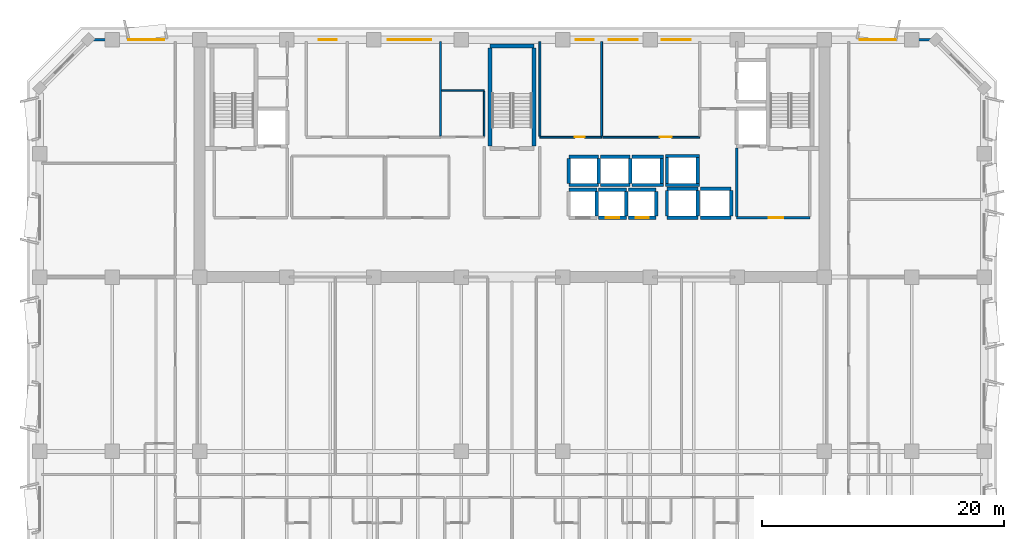
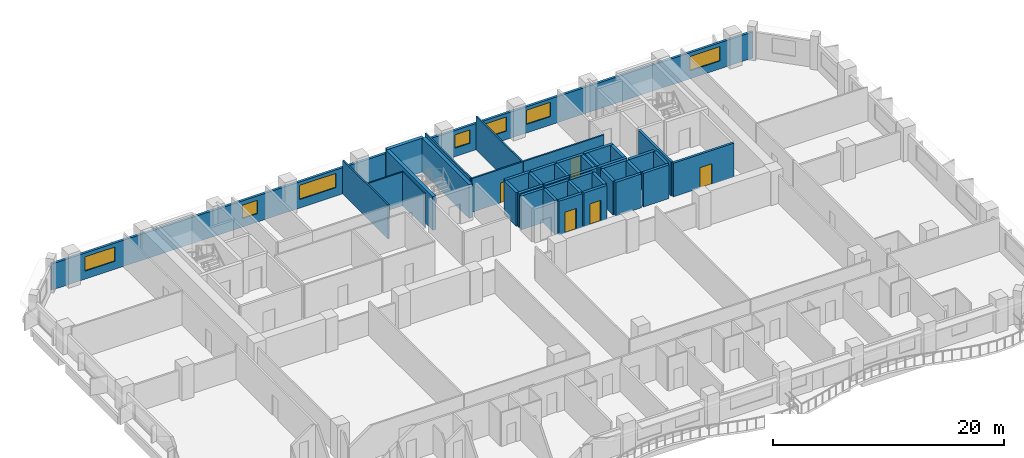
# One storey, part 8 of 15: 42 walls, 7 windows, 5 doors, 12 openings.
"""IFC4 building model written with IfcOpenShell, lengths in metres."""

from ifc_helpers import new_model, si_unit, direction, frame, frame_2d, origin, place, context, subcontext, project, spatial, rectangle, extrude, material, layer, layer_set, type_object, element, fill, save


model = new_model("IFC4")

# Units and contexts
model_context = context("Model", 3, precision=1e-05, world=origin(), true_north=direction((0.0, 1.0)))
body_context = subcontext(model_context, "Body", "Model", "MODEL_VIEW")
ifc_project = project(units=[si_unit("LENGTHUNIT", "METRE"), si_unit("AREAUNIT", "SQUARE_METRE"), si_unit("VOLUMEUNIT", "CUBIC_METRE"), si_unit("PLANEANGLEUNIT", "RADIAN"), si_unit("MASSUNIT", "GRAM", prefix="KILO")], contexts=[model_context])

# Site, building, storey
site_placement = place(None, origin())
site = spatial("IfcSite", under=ifc_project, at=site_placement, CompositionType="ELEMENT")
building_placement = place(site_placement, origin())
building = spatial("IfcBuilding", under=site, at=building_placement, Name="Kaelvorn Grand Hotel", CompositionType="ELEMENT")
storey_placement = place(building_placement, frame((0.0, 0.0, 139.14990234375)))
storey = spatial("IfcBuildingStorey", under=building, at=storey_placement, Name="L33", CompositionType="ELEMENT", Elevation=139.14990234375)

# Wall, openings, windows
ifc_material_1 = material(Name="Concrete C40/50", Category="concrete")
ifc_layer_1 = layer(ifc_material_1, 0.239990234375)
ifc_layer_set_1 = layer_set([ifc_layer_1], Name="Concrete C40/50")
wall_type_1 = type_object("IfcWallType", Name="WL-EXT-240-C40", PredefinedType="SOLIDWALL", material=ifc_layer_set_1)
wall_1_placement = place(storey_placement, frame((77.0, 49.0, 0.0), z_axis=(0.0, 0.0, 1.0), x_axis=(-1.0, 0.0, 0.0)))
wall_1 = element("IfcWall", 1, at=wall_1_placement, inside=storey, type_object=wall_type_1, Name="L33 Exterior Architectural Concrete Wall 05", PredefinedType="SOLIDWALL", context=body_context, shape_type="SweptSolid", body=[
    extrude(rectangle(XDim=70.0, YDim=0.239990234375, at=frame_2d((35.0, 0.0))), origin(), (0.0, 0.0, 1.0), 2.760009765625),
])
opening_1_placement = place(wall_1_placement, frame((63.699951171875, 0.0, 0.85009765625)))
opening_1 = element("IfcOpeningElement", 2, at=opening_1_placement, cuts=wall_1, Name="Opening W5", PredefinedType="OPENING", context=body_context, shape_type="SweptSolid", body=[
    extrude(rectangle(XDim=3.0, YDim=1.5, at=frame_2d((1.5, 0.75))), frame((0.0, 0.1298828125, 0.0), z_axis=(0.0, -1.0, 0.0), x_axis=(1.0, 0.0, 0.0)), (0.0, 0.0, 1.0), 0.260009765625),
])
opening_2_placement = place(wall_1_placement, frame((3.300048828125, 0.0, 0.85009765625)))
opening_2 = element("IfcOpeningElement", 3, at=opening_2_placement, cuts=wall_1, Name="Opening W5", PredefinedType="OPENING", context=body_context, shape_type="SweptSolid", body=[
    extrude(rectangle(XDim=3.0, YDim=1.5, at=frame_2d((1.5, 0.75))), frame((0.0, 0.1298828125, 0.0), z_axis=(0.0, -1.0, 0.0), x_axis=(1.0, 0.0, 0.0)), (0.0, 0.0, 1.0), 0.260009765625),
])
opening_3_placement = place(wall_1_placement, frame((49.465087890625, 0.0, 0.89990234375)))
opening_3 = element("IfcOpeningElement", 4, at=opening_3_placement, cuts=wall_1, Name="Opening W10", PredefinedType="OPENING", context=body_context, shape_type="SweptSolid", body=[
    extrude(rectangle(XDim=1.5, YDim=1.39990234375, at=frame_2d((0.75, 0.699951171875))), frame((0.0, 0.1298828125, 0.0), z_axis=(0.0, -1.0, 0.0), x_axis=(1.0, 0.0, 0.0)), (0.0, 0.0, 1.0), 0.260009765625),
])
opening_4_placement = place(wall_1_placement, frame((41.64990234375, 0.0, 0.89990234375)))
opening_4 = element("IfcOpeningElement", 5, at=opening_4_placement, cuts=wall_1, Name="Opening W3", PredefinedType="OPENING", context=body_context, shape_type="SweptSolid", body=[
    extrude(rectangle(XDim=3.60009765625, YDim=1.5, at=frame_2d((1.800048828125, 0.75))), frame((0.0, 0.1298828125, 0.0), z_axis=(0.0, -1.0, 0.0), x_axis=(1.0, 0.0, 0.0)), (0.0, 0.0, 1.0), 0.260009765625),
])
opening_5_placement = place(wall_1_placement, frame((28.25, 0.0, 0.89990234375)))
opening_5 = element("IfcOpeningElement", 6, at=opening_5_placement, cuts=wall_1, Name="Opening W10", PredefinedType="OPENING", context=body_context, shape_type="SweptSolid", body=[
    extrude(rectangle(XDim=1.5, YDim=1.39990234375, at=frame_2d((0.75, 0.699951171875))), frame((0.0, 0.1298828125, 0.0), z_axis=(0.0, -1.0, 0.0), x_axis=(1.0, 0.0, 0.0)), (0.0, 0.0, 1.0), 0.260009765625),
])
opening_6_placement = place(wall_1_placement, frame((24.60009765625, 0.0, 0.89990234375)))
opening_6 = element("IfcOpeningElement", 7, at=opening_6_placement, cuts=wall_1, Name="Opening W6", PredefinedType="OPENING", context=body_context, shape_type="SweptSolid", body=[
    extrude(rectangle(XDim=2.39990234375, YDim=1.5, at=frame_2d((1.199951171875, 0.75))), frame((0.0, 0.1298828125, 0.0), z_axis=(0.0, -1.0, 0.0), x_axis=(1.0, 0.0, 0.0)), (0.0, 0.0, 1.0), 0.260009765625),
])
opening_7_placement = place(wall_1_placement, frame((20.235107421875, 0.0, 0.89990234375)))
opening_7 = element("IfcOpeningElement", 8, at=opening_7_placement, cuts=wall_1, Name="Opening W6", PredefinedType="OPENING", context=body_context, shape_type="SweptSolid", body=[
    extrude(rectangle(XDim=2.39990234375, YDim=1.5, at=frame_2d((1.199951171875, 0.75))), frame((0.0, 0.1298828125, 0.0), z_axis=(0.0, -1.0, 0.0), x_axis=(1.0, 0.0, 0.0)), (0.0, 0.0, 1.0), 0.260009765625),
])
ifc_material_2 = material(Name="Laminated Low-E Glass", Category="glass")
window_type_1 = type_object("IfcWindowType", Name="WIN-COR-1500x1400", PartitioningType="SINGLE_PANEL", PredefinedType="WINDOW", material=ifc_material_2)
window_1_placement = place(opening_3_placement, origin())
window_1 = element("IfcWindow", 9, at=window_1_placement, inside=storey, type_object=window_type_1, Name="L33 North Core Clerestory Ribbon Window NC03", OverallHeight=1.39990234375, OverallWidth=1.5, PartitioningType="SINGLE_PANEL", PredefinedType="WINDOW", context=body_context, shape_type="SweptSolid", body=[
    extrude(rectangle(XDim=1.5, YDim=1.39990234375, at=frame_2d((0.75, 0.699951171875))), frame((0.0, 0.030029296875, 0.0), z_axis=(0.0, -1.0, 0.0), x_axis=(1.0, 0.0, 0.0)), (0.0, 0.0, 1.0), 0.06005859375),
])
fill(opening_3, window_1)
window_2_placement = place(opening_5_placement, origin())
window_2 = element("IfcWindow", 10, at=window_2_placement, inside=storey, type_object=window_type_1, Name="L33 North Core Clerestory Ribbon Window NC05", OverallHeight=1.39990234375, OverallWidth=1.5, PartitioningType="SINGLE_PANEL", PredefinedType="WINDOW", context=body_context, shape_type="SweptSolid", body=[
    extrude(rectangle(XDim=1.5, YDim=1.39990234375, at=frame_2d((0.75, 0.699951171875))), frame((0.0, 0.030029296875, 0.0), z_axis=(0.0, -1.0, 0.0), x_axis=(1.0, 0.0, 0.0)), (0.0, 0.0, 1.0), 0.06005859375),
])
fill(opening_5, window_2)
window_type_2 = type_object("IfcWindowType", Name="WIN-NTH-2400x1500", PartitioningType="SINGLE_PANEL", PredefinedType="WINDOW", material=ifc_material_2)
window_3_placement = place(opening_6_placement, origin())
window_3 = element("IfcWindow", 11, at=window_3_placement, inside=storey, type_object=window_type_2, Name="L33 North Core Clerestory Ribbon Window NC06", OverallHeight=1.5, OverallWidth=2.39990234375, PartitioningType="SINGLE_PANEL", PredefinedType="WINDOW", context=body_context, shape_type="SweptSolid", body=[
    extrude(rectangle(XDim=2.39990234375, YDim=1.5, at=frame_2d((1.199951171875, 0.75))), frame((0.0, 0.030029296875, 0.0), z_axis=(0.0, -1.0, 0.0), x_axis=(1.0, 0.0, 0.0)), (0.0, 0.0, 1.0), 0.06005859375),
])
fill(opening_6, window_3)
window_4_placement = place(opening_7_placement, origin())
window_4 = element("IfcWindow", 12, at=window_4_placement, inside=storey, type_object=window_type_2, Name="L33 North Core Clerestory Ribbon Window NC07", OverallHeight=1.5, OverallWidth=2.39990234375, PartitioningType="SINGLE_PANEL", PredefinedType="WINDOW", context=body_context, shape_type="SweptSolid", body=[
    extrude(rectangle(XDim=2.39990234375, YDim=1.5, at=frame_2d((1.199951171875, 0.75))), frame((0.0, 0.030029296875, 0.0), z_axis=(0.0, -1.0, 0.0), x_axis=(1.0, 0.0, 0.0)), (0.0, 0.0, 1.0), 0.06005859375),
])
fill(opening_7, window_4)
window_type_3 = type_object("IfcWindowType", Name="WIN-NTH-3000x1500", PartitioningType="SINGLE_PANEL", PredefinedType="WINDOW", material=ifc_material_2)
window_5_placement = place(opening_1_placement, origin())
window_5 = element("IfcWindow", 13, at=window_5_placement, inside=storey, type_object=window_type_3, Name="L33 North Wing Ribbon Window NW01", OverallHeight=1.5, OverallWidth=3.0, PartitioningType="SINGLE_PANEL", PredefinedType="WINDOW", context=body_context, shape_type="SweptSolid", body=[
    extrude(rectangle(XDim=3.0, YDim=1.5, at=frame_2d((1.5, 0.75))), frame((0.0, 0.030029296875, 0.0), z_axis=(0.0, -1.0, 0.0), x_axis=(1.0, 0.0, 0.0)), (0.0, 0.0, 1.0), 0.06005859375),
])
fill(opening_1, window_5)
window_6_placement = place(opening_2_placement, origin())
window_6 = element("IfcWindow", 14, at=window_6_placement, inside=storey, type_object=window_type_3, Name="L33 North Wing Ribbon Window NW02", OverallHeight=1.5, OverallWidth=3.0, PartitioningType="SINGLE_PANEL", PredefinedType="WINDOW", context=body_context, shape_type="SweptSolid", body=[
    extrude(rectangle(XDim=3.0, YDim=1.5, at=frame_2d((1.5, 0.75))), frame((0.0, 0.030029296875, 0.0), z_axis=(0.0, -1.0, 0.0), x_axis=(1.0, 0.0, 0.0)), (0.0, 0.0, 1.0), 0.06005859375),
])
fill(opening_2, window_6)
window_type_4 = type_object("IfcWindowType", Name="WIN-RIB-3600x1750", PartitioningType="SINGLE_PANEL", PredefinedType="WINDOW", material=ifc_material_2)
window_7_placement = place(opening_4_placement, origin())
window_7 = element("IfcWindow", 15, at=window_7_placement, inside=storey, type_object=window_type_4, Name="L33 North Core Clerestory Ribbon Window NC04", OverallHeight=1.5, OverallWidth=3.60009765625, PartitioningType="SINGLE_PANEL", PredefinedType="WINDOW", context=body_context, shape_type="SweptSolid", body=[
    extrude(rectangle(XDim=3.60009765625, YDim=1.5, at=frame_2d((1.800048828125, 0.75))), frame((0.0, 0.030029296875, 0.0), z_axis=(0.0, -1.0, 0.0), x_axis=(1.0, 0.0, 0.0)), (0.0, 0.0, 1.0), 0.06005859375),
])
fill(opening_4, window_7)

# Walls
ifc_material_3 = material(Name="Moisture-Resistant Tile & Stud Board")
ifc_layer_2 = layer(ifc_material_3, 0.125)
ifc_layer_set_2 = layer_set([ifc_layer_2], Name="Moisture-Resistant Tile & Stud Board")
wall_type_2 = type_object("IfcWallType", Name="WL-PART-125-WET", PredefinedType="PARTITIONING", material=ifc_layer_set_2)
wall_2_placement = place(storey_placement, frame((36.179931640625, 44.800048828125, 0.0), z_axis=(0.0, 0.0, 1.0), x_axis=(1.0, 0.0, 0.0)))
element("IfcWall", 16, at=wall_2_placement, inside=storey, type_object=wall_type_2, Name="L33 Accessible WC N Partition", PredefinedType="PARTITIONING", context=body_context, shape_type="SweptSolid", body=[
    extrude(rectangle(XDim=3.52001953125, YDim=0.125, at=frame_2d((1.760009765625, 0.0))), origin(), (0.0, 0.0, 1.0), 3.56005859375),
])
wall_3_placement = place(storey_placement, frame((39.699951171875, 41.017578125, 0.0), z_axis=(0.0, 0.0, 1.0), x_axis=(0.0, 1.0, 0.0)))
element("IfcWall", 17, at=wall_3_placement, inside=storey, type_object=wall_type_2, Name="L33 Accessible WC E Partition", PredefinedType="PARTITIONING", context=body_context, shape_type="SweptSolid", body=[
    extrude(rectangle(XDim=3.71484375, YDim=0.125, at=frame_2d((1.857421875, 0.0))), origin(), (0.0, 0.0, 1.0), 3.56005859375),
])
ifc_material_4 = material(Name="Acoustic Gypsum & Stud Partition")
ifc_layer_3 = layer(ifc_material_4, 0.14990234375)
ifc_layer_set_3 = layer_set([ifc_layer_3], Name="Acoustic Gypsum & Stud Partition")
wall_type_3 = type_object("IfcWallType", Name="WL-PART-150-EI60", PredefinedType="PARTITIONING", material=ifc_layer_set_3)
wall_4_placement = place(storey_placement, frame((36.10009765625, 41.030029296875, 0.0), z_axis=(0.0, 0.0, 1.0), x_axis=(0.0, 1.0, 0.0)))
element("IfcWall", 18, at=wall_4_placement, inside=storey, type_object=wall_type_3, Name="L33 Housekeeping & Linen Room E Partition", PredefinedType="PARTITIONING", context=body_context, shape_type="SweptSolid", body=[
    extrude(rectangle(XDim=7.820068359375, YDim=0.14990234375, at=frame_2d((3.91015625, 0.0))), origin(), (0.0, 0.0, 1.0), 3.56005859375),
])

# Wall, opening, door
wall_5_placement = place(storey_placement, frame((44.300048828125, 40.949951171875, 0.0), z_axis=(0.0, 0.0, 1.0), x_axis=(1.0, 0.0, 0.0)))
wall_5 = element("IfcWall", 19, at=wall_5_placement, inside=storey, type_object=wall_type_3, Name="L33 Laundry Chute Vestibule S Partition", PredefinedType="PARTITIONING", context=body_context, shape_type="SweptSolid", body=[
    extrude(rectangle(XDim=5.099853515625, YDim=0.14990234375, at=frame_2d((2.5498046875, 0.0))), origin(), (0.0, 0.0, 1.0), 3.56005859375),
])
opening_8_placement = place(wall_5_placement, frame((2.875, 0.0, 0.0)))
opening_8 = element("IfcOpeningElement", 20, at=opening_8_placement, cuts=wall_5, Name="Opening DI7", PredefinedType="OPENING", context=body_context, shape_type="SweptSolid", body=[
    extrude(rectangle(XDim=0.85009765625, YDim=2.10009765625, at=frame_2d((0.425048828125, 1.050048828125))), frame((0.0, 0.0849609375, 0.0), z_axis=(0.0, -1.0, 0.0), x_axis=(1.0, 0.0, 0.0)), (0.0, 0.0, 1.0), 0.169921875),
])
ifc_material_5 = material(Name="Powder-Coated Steel Leaf", Category="steel")
door_type_1 = type_object("IfcDoorType", Name="DR-INT-RISER-850x2100", OperationType="NOTDEFINED", PredefinedType="DOOR", material=ifc_material_5)
door_1_placement = place(opening_8_placement, origin())
door_1 = element("IfcDoor", 21, at=door_1_placement, inside=storey, type_object=door_type_1, Name="L33 Laundry Chute Vestibule Door", OperationType="SINGLE_SWING_LEFT", OverallHeight=2.10009765625, OverallWidth=0.85009765625, PredefinedType="DOOR", context=body_context, shape_type="SweptSolid", body=[
    extrude(rectangle(XDim=0.85009765625, YDim=2.10009765625, at=frame_2d((0.425048828125, 1.050048828125))), frame((0.0, 0.02490234375, 0.0), z_axis=(0.0, -1.0, 0.0), x_axis=(1.0, 0.0, 0.0)), (0.0, 0.0, 1.0), 0.050048828125),
])
fill(opening_8, door_1)

# Walls
for number, where, z_axis, x_axis, name in (
    (22, (44.300048828125, 41.030029296875, 0.0), (0.0, 0.0, 1.0), (0.0, 1.0, 0.0), "L33 Laundry Chute Vestibule W Partition"),
    (23, (49.39990234375, 41.030029296875, 0.0), (0.0, 0.0, 1.0), (0.0, 1.0, 0.0), "L33 Laundry Chute Vestibule E Partition"),
):
    element("IfcWall", number, at=place(storey_placement, frame(where, z_axis=z_axis, x_axis=x_axis)), inside=storey, type_object=wall_type_3, Name=name, PredefinedType="PARTITIONING", context=body_context, shape_type="SweptSolid", body=[
        extrude(rectangle(XDim=7.820068359375, YDim=0.14990234375, at=frame_2d((3.91015625, 0.0))), origin(), (0.0, 0.0, 1.0), 3.56005859375),
    ])

# Wall, opening, door
wall_6_placement = place(storey_placement, frame((49.47998046875, 40.949951171875, 0.0), z_axis=(0.0, 0.0, 1.0), x_axis=(1.0, 0.0, 0.0)))
wall_6 = element("IfcWall", 24, at=wall_6_placement, inside=storey, type_object=wall_type_3, Name="L33 Butler Servery Pantry S Partition", PredefinedType="PARTITIONING", context=body_context, shape_type="SweptSolid", body=[
    extrude(rectangle(XDim=8.02001953125, YDim=0.14990234375, at=frame_2d((4.010009765625, 0.0))), origin(), (0.0, 0.0, 1.0), 3.56005859375),
])
opening_9_placement = place(wall_6_placement, frame((4.719970703125, 0.0, 0.0)))
opening_9 = element("IfcOpeningElement", 25, at=opening_9_placement, cuts=wall_6, Name="Opening DI3", PredefinedType="OPENING", context=body_context, shape_type="SweptSolid", body=[
    extrude(rectangle(XDim=1.0, YDim=2.14990234375, at=frame_2d((0.5, 1.074951171875))), frame((0.0, 0.0849609375, 0.0), z_axis=(0.0, -1.0, 0.0), x_axis=(1.0, 0.0, 0.0)), (0.0, 0.0, 1.0), 0.169921875),
])
ifc_material_6 = material(Name="Timber Veneer Fire Leaf", Category="wood")
door_type_2 = type_object("IfcDoorType", Name="DR-INT-GUEST-1000x2150", OperationType="NOTDEFINED", PredefinedType="DOOR", material=ifc_material_6)
door_2_placement = place(opening_9_placement, origin())
door_2 = element("IfcDoor", 26, at=door_2_placement, inside=storey, type_object=door_type_2, Name="L33 Butler Servery Pantry Door", OperationType="SINGLE_SWING_RIGHT", OverallHeight=2.14990234375, OverallWidth=1.0, PredefinedType="DOOR", context=body_context, shape_type="SweptSolid", body=[
    extrude(rectangle(XDim=1.0, YDim=2.14990234375, at=frame_2d((0.5, 1.074951171875))), frame((0.0, 0.02490234375, 0.0), z_axis=(0.0, -1.0, 0.0), x_axis=(1.0, 0.0, 0.0)), (0.0, 0.0, 1.0), 0.050048828125),
])
fill(opening_9, door_2)

ifc_layer_4 = layer(ifc_material_1, 0.219970703125)
ifc_layer_set_4 = layer_set([ifc_layer_4], Name="Concrete C40/50")
wall_type_4 = type_object("IfcWallType", Name="WL-PART-220-EI120", PredefinedType="PARTITIONING", material=ifc_layer_set_4)
wall_7_placement = place(storey_placement, frame((60.550048828125, 34.300048828125, 0.0), z_axis=(0.0, 0.0, 1.0), x_axis=(1.0, 0.0, 0.0)))
wall_7 = element("IfcWall", 27, at=wall_7_placement, inside=storey, type_object=wall_type_4, Name="L33 Firefighting Lift Lobby 2 S Partition", PredefinedType="PARTITIONING", context=body_context, shape_type="SweptSolid", body=[
    extrude(rectangle(XDim=6.050048828125, YDim=0.219970703125, at=frame_2d((3.02490234375, 0.0))), origin(), (0.0, 0.0, 1.0), 3.56005859375),
])
opening_10_placement = place(wall_7_placement, frame((2.64990234375, 0.0, 0.0)))
opening_10 = element("IfcOpeningElement", 28, at=opening_10_placement, cuts=wall_7, Name="Opening DI2", PredefinedType="OPENING", context=body_context, shape_type="SweptSolid", body=[
    extrude(rectangle(XDim=1.199951171875, YDim=2.14990234375, at=frame_2d((0.60009765625, 1.074951171875))), frame((0.0, 0.1201171875, 0.0), z_axis=(0.0, -1.0, 0.0), x_axis=(1.0, 0.0, 0.0)), (0.0, 0.0, 1.0), 0.239990234375),
])
door_type_3 = type_object("IfcDoorType", Name="DR-INT-FFLOB-1200x2150", OperationType="NOTDEFINED", PredefinedType="DOOR", material=ifc_material_6)
door_3_placement = place(opening_10_placement, origin())
door_3 = element("IfcDoor", 29, at=door_3_placement, inside=storey, type_object=door_type_3, Name="L33 Firefighting Lift Lobby 2 Door", OperationType="SINGLE_SWING_LEFT", OverallHeight=2.14990234375, OverallWidth=1.199951171875, PredefinedType="DOOR", context=body_context, shape_type="SweptSolid", body=[
    extrude(rectangle(XDim=1.199951171875, YDim=2.14990234375, at=frame_2d((0.60009765625, 1.074951171875))), frame((0.0, 0.02490234375, 0.0), z_axis=(0.0, -1.0, 0.0), x_axis=(1.0, 0.0, 0.0)), (0.0, 0.0, 1.0), 0.050048828125),
])
fill(opening_10, door_3)

# Walls
wall_8_placement = place(storey_placement, frame((60.550048828125, 34.4150390625, 0.0), z_axis=(0.0, 0.0, 1.0), x_axis=(0.0, 1.0, 0.0)))
element("IfcWall", 30, at=wall_8_placement, inside=storey, type_object=wall_type_4, Name="L33 Firefighting Lift Lobby 2 W Partition", PredefinedType="PARTITIONING", context=body_context, shape_type="SweptSolid", body=[
    extrude(rectangle(XDim=5.639892578125, YDim=0.219970703125, at=frame_2d((2.81982421875, 0.0))), origin(), (0.0, 0.0, 1.0), 3.56005859375),
])
ifc_material_7 = material(Name="Concrete C50/60", Category="concrete")
ifc_layer_5 = layer(ifc_material_7, 0.280029296875)
ifc_layer_set_5 = layer_set([ifc_layer_5], Name="Concrete C50/60")
wall_type_5 = type_object("IfcWallType", Name="WL-SHAFT-280-C50", PredefinedType="SHEAR", material=ifc_layer_set_5)
wall_9_placement = place(storey_placement, frame((46.699951171875, 36.60009765625, 0.0), z_axis=(0.0, 0.0, 1.0), x_axis=(1.0, 0.0, 0.0)))
element("IfcWall", 31, at=wall_9_placement, inside=storey, type_object=wall_type_5, Name="L33 Lift PL-M1 Shaft North Wall", PredefinedType="SHEAR", context=body_context, shape_type="SweptSolid", body=[
    extrude(rectangle(XDim=2.300048828125, YDim=0.280029296875, at=frame_2d((1.14990234375, 0.0))), origin(), (0.0, 0.0, 1.0), 3.56005859375),
])
wall_10_placement = place(storey_placement, frame((49.0, 34.445068359375, 0.0), z_axis=(0.0, 0.0, 1.0), x_axis=(0.0, 1.0, 0.0)))
element("IfcWall", 32, at=wall_10_placement, inside=storey, type_object=wall_type_5, Name="L33 Lift PL-M1 Shaft East Wall", PredefinedType="SHEAR", context=body_context, shape_type="SweptSolid", body=[
    extrude(rectangle(XDim=2.010009765625, YDim=0.280029296875, at=frame_2d((1.0048828125, 0.0))), origin(), (0.0, 0.0, 1.0), 3.56005859375),
])

# Wall, opening, door
wall_11_placement = place(storey_placement, frame((49.14990234375, 34.300048828125, 0.0), z_axis=(0.0, 0.0, 1.0), x_axis=(1.0, 0.0, 0.0)))
wall_11 = element("IfcWall", 33, at=wall_11_placement, inside=storey, type_object=wall_type_5, Name="L33 Lift PL-M2 Shaft South Wall", PredefinedType="SHEAR", context=body_context, shape_type="SweptSolid", body=[
    extrude(rectangle(XDim=2.300048828125, YDim=0.280029296875, at=frame_2d((1.14990234375, 0.0))), origin(), (0.0, 0.0, 1.0), 3.56005859375),
])
opening_11_placement = place(wall_11_placement, frame((0.60009765625, 0.0, 0.0)))
opening_11 = element("IfcOpeningElement", 34, at=opening_11_placement, cuts=wall_11, Name="Opening LD-PL-M2", PredefinedType="OPENING", context=body_context, shape_type="SweptSolid", body=[
    extrude(rectangle(XDim=1.10009765625, YDim=2.199951171875, at=frame_2d((0.550048828125, 1.10009765625))), frame((0.0, 0.14990234375, 0.0), z_axis=(0.0, -1.0, 0.0), x_axis=(1.0, 0.0, 0.0)), (0.0, 0.0, 1.0), 0.300048828125),
])
ifc_material_8 = material(Name="Stainless Steel", Category="steel")
door_type_4 = type_object("IfcDoorType", Name="DR-LIFT-PASS-1100x2200", OperationType="DOUBLE_DOOR_SLIDING", PredefinedType="DOOR", material=ifc_material_8)
door_4_placement = place(opening_11_placement, origin())
door_4 = element("IfcDoor", 35, at=door_4_placement, inside=storey, type_object=door_type_4, Name="L33 Lift PL-M2 Sliding Landing Door LD-PL-M2", OperationType="DOUBLE_DOOR_SLIDING", OverallHeight=2.199951171875, OverallWidth=1.10009765625, PredefinedType="DOOR", context=body_context, shape_type="SweptSolid", body=[
    extrude(rectangle(XDim=1.10009765625, YDim=2.199951171875, at=frame_2d((0.550048828125, 1.10009765625))), frame((0.0, 0.02490234375, 0.0), z_axis=(0.0, -1.0, 0.0), x_axis=(1.0, 0.0, 0.0)), (0.0, 0.0, 1.0), 0.050048828125),
])
fill(opening_11, door_4)

# Walls
wall_12_placement = place(storey_placement, frame((49.14990234375, 36.60009765625, 0.0), z_axis=(0.0, 0.0, 1.0), x_axis=(1.0, 0.0, 0.0)))
element("IfcWall", 36, at=wall_12_placement, inside=storey, type_object=wall_type_5, Name="L33 Lift PL-M2 Shaft North Wall", PredefinedType="SHEAR", context=body_context, shape_type="SweptSolid", body=[
    extrude(rectangle(XDim=2.300048828125, YDim=0.280029296875, at=frame_2d((1.14990234375, 0.0))), origin(), (0.0, 0.0, 1.0), 3.56005859375),
])
wall_13_placement = place(storey_placement, frame((51.449951171875, 34.445068359375, 0.0), z_axis=(0.0, 0.0, 1.0), x_axis=(0.0, 1.0, 0.0)))
element("IfcWall", 37, at=wall_13_placement, inside=storey, type_object=wall_type_5, Name="L33 Lift PL-M2 Shaft East Wall", PredefinedType="SHEAR", context=body_context, shape_type="SweptSolid", body=[
    extrude(rectangle(XDim=2.010009765625, YDim=0.280029296875, at=frame_2d((1.0048828125, 0.0))), origin(), (0.0, 0.0, 1.0), 3.56005859375),
])

# Wall, opening, door
wall_14_placement = place(storey_placement, frame((51.60009765625, 34.300048828125, 0.0), z_axis=(0.0, 0.0, 1.0), x_axis=(1.0, 0.0, 0.0)))
wall_14 = element("IfcWall", 38, at=wall_14_placement, inside=storey, type_object=wall_type_5, Name="L33 Lift PL-M3 Shaft South Wall", PredefinedType="SHEAR", context=body_context, shape_type="SweptSolid", body=[
    extrude(rectangle(XDim=2.2998046875, YDim=0.280029296875, at=frame_2d((1.14990234375, 0.0))), origin(), (0.0, 0.0, 1.0), 3.56005859375),
])
opening_12_placement = place(wall_14_placement, frame((0.60009765625, 0.0, 0.0)))
opening_12 = element("IfcOpeningElement", 39, at=opening_12_placement, cuts=wall_14, Name="Opening LD-PL-M3", PredefinedType="OPENING", context=body_context, shape_type="SweptSolid", body=[
    extrude(rectangle(XDim=1.10009765625, YDim=2.199951171875, at=frame_2d((0.550048828125, 1.10009765625))), frame((0.0, 0.14990234375, 0.0), z_axis=(0.0, -1.0, 0.0), x_axis=(1.0, 0.0, 0.0)), (0.0, 0.0, 1.0), 0.300048828125),
])
door_5_placement = place(opening_12_placement, origin())
door_5 = element("IfcDoor", 40, at=door_5_placement, inside=storey, type_object=door_type_4, Name="L33 Lift PL-M3 Sliding Landing Door LD-PL-M3", OperationType="DOUBLE_DOOR_SLIDING", OverallHeight=2.199951171875, OverallWidth=1.10009765625, PredefinedType="DOOR", context=body_context, shape_type="SweptSolid", body=[
    extrude(rectangle(XDim=1.10009765625, YDim=2.199951171875, at=frame_2d((0.550048828125, 1.10009765625))), frame((0.0, 0.02490234375, 0.0), z_axis=(0.0, -1.0, 0.0), x_axis=(1.0, 0.0, 0.0)), (0.0, 0.0, 1.0), 0.050048828125),
])
fill(opening_12, door_5)

# Walls
wall_15_placement = place(storey_placement, frame((51.60009765625, 36.60009765625, 0.0), z_axis=(0.0, 0.0, 1.0), x_axis=(1.0, 0.0, 0.0)))
element("IfcWall", 41, at=wall_15_placement, inside=storey, type_object=wall_type_5, Name="L33 Lift PL-M3 Shaft North Wall", PredefinedType="SHEAR", context=body_context, shape_type="SweptSolid", body=[
    extrude(rectangle(XDim=2.2998046875, YDim=0.280029296875, at=frame_2d((1.14990234375, 0.0))), origin(), (0.0, 0.0, 1.0), 3.56005859375),
])
wall_16_placement = place(storey_placement, frame((53.89990234375, 34.445068359375, 0.0), z_axis=(0.0, 0.0, 1.0), x_axis=(0.0, 1.0, 0.0)))
element("IfcWall", 42, at=wall_16_placement, inside=storey, type_object=wall_type_5, Name="L33 Lift PL-M3 Shaft East Wall", PredefinedType="SHEAR", context=body_context, shape_type="SweptSolid", body=[
    extrude(rectangle(XDim=2.010009765625, YDim=0.280029296875, at=frame_2d((1.0048828125, 0.0))), origin(), (0.0, 0.0, 1.0), 3.56005859375),
])
for number, where, z_axis, x_axis, name in (
    (43, (46.699951171875, 37.0, 0.0), (0.0, 0.0, 1.0), (1.0, 0.0, 0.0), "L33 Lift SL-1 Shaft South Wall"),
    (44, (46.699951171875, 39.35009765625, 0.0), (0.0, 0.0, 1.0), (1.0, 0.0, 0.0), "L33 Lift SL-1 Shaft North Wall"),
):
    element("IfcWall", number, at=place(storey_placement, frame(where, z_axis=z_axis, x_axis=x_axis)), inside=storey, type_object=wall_type_5, Name=name, PredefinedType="SHEAR", context=body_context, shape_type="SweptSolid", body=[
        extrude(rectangle(XDim=2.449951171875, YDim=0.280029296875, at=frame_2d((1.22509765625, 0.0))), origin(), (0.0, 0.0, 1.0), 3.56005859375),
    ])
for number, where, z_axis, x_axis, name in (
    (45, (46.699951171875, 37.14501953125, 0.0), (0.0, 0.0, 1.0), (0.0, 1.0, 0.0), "L33 Lift SL-1 Shaft West Wall"),
    (46, (49.14990234375, 37.14501953125, 0.0), (0.0, 0.0, 1.0), (0.0, 1.0, 0.0), "L33 Lift SL-1 Shaft East Wall"),
):
    element("IfcWall", number, at=place(storey_placement, frame(where, z_axis=z_axis, x_axis=x_axis)), inside=storey, type_object=wall_type_5, Name=name, PredefinedType="SHEAR", context=body_context, shape_type="SweptSolid", body=[
        extrude(rectangle(XDim=2.06005859375, YDim=0.280029296875, at=frame_2d((1.030029296875, 0.0))), origin(), (0.0, 0.0, 1.0), 3.56005859375),
    ])
for number, where, z_axis, x_axis, name in (
    (47, (49.300048828125, 37.0, 0.0), (0.0, 0.0, 1.0), (1.0, 0.0, 0.0), "L33 Lift SL-2 Shaft South Wall"),
    (48, (49.300048828125, 39.35009765625, 0.0), (0.0, 0.0, 1.0), (1.0, 0.0, 0.0), "L33 Lift SL-2 Shaft North Wall"),
):
    element("IfcWall", number, at=place(storey_placement, frame(where, z_axis=z_axis, x_axis=x_axis)), inside=storey, type_object=wall_type_5, Name=name, PredefinedType="SHEAR", context=body_context, shape_type="SweptSolid", body=[
        extrude(rectangle(XDim=2.449951171875, YDim=0.280029296875, at=frame_2d((1.22509765625, 0.0))), origin(), (0.0, 0.0, 1.0), 3.56005859375),
    ])
wall_17_placement = place(storey_placement, frame((51.75, 37.14501953125, 0.0), z_axis=(0.0, 0.0, 1.0), x_axis=(0.0, 1.0, 0.0)))
element("IfcWall", 49, at=wall_17_placement, inside=storey, type_object=wall_type_5, Name="L33 Lift SL-2 Shaft East Wall", PredefinedType="SHEAR", context=body_context, shape_type="SweptSolid", body=[
    extrude(rectangle(XDim=2.06005859375, YDim=0.280029296875, at=frame_2d((1.030029296875, 0.0))), origin(), (0.0, 0.0, 1.0), 3.56005859375),
])
for number, where, z_axis, x_axis, name in (
    (50, (51.89990234375, 37.0, 0.0), (0.0, 0.0, 1.0), (1.0, 0.0, 0.0), "L33 Lift SL-3 Shaft South Wall"),
    (51, (51.89990234375, 39.35009765625, 0.0), (0.0, 0.0, 1.0), (1.0, 0.0, 0.0), "L33 Lift SL-3 Shaft North Wall"),
):
    element("IfcWall", number, at=place(storey_placement, frame(where, z_axis=z_axis, x_axis=x_axis)), inside=storey, type_object=wall_type_5, Name=name, PredefinedType="SHEAR", context=body_context, shape_type="SweptSolid", body=[
        extrude(rectangle(XDim=2.590087890625, YDim=0.280029296875, at=frame_2d((1.294921875, 0.0))), origin(), (0.0, 0.0, 1.0), 3.56005859375),
    ])
wall_18_placement = place(storey_placement, frame((54.35009765625, 37.14501953125, 0.0), z_axis=(0.0, 0.0, 1.0), x_axis=(0.0, 1.0, 0.0)))
element("IfcWall", 52, at=wall_18_placement, inside=storey, type_object=wall_type_5, Name="L33 Lift SL-3 Shaft East Wall", PredefinedType="SHEAR", context=body_context, shape_type="SweptSolid", body=[
    extrude(rectangle(XDim=2.06005859375, YDim=0.280029296875, at=frame_2d((1.030029296875, 0.0))), origin(), (0.0, 0.0, 1.0), 3.56005859375),
])
for number, where, z_axis, x_axis, name in (
    (53, (54.800048828125, 34.300048828125, 0.0), (0.0, 0.0, 1.0), (1.0, 0.0, 0.0), "L33 Lift OL-1 Shaft South Wall"),
    (54, (54.800048828125, 36.699951171875, 0.0), (0.0, 0.0, 1.0), (1.0, 0.0, 0.0), "L33 Lift OL-1 Shaft North Wall"),
):
    element("IfcWall", number, at=place(storey_placement, frame(where, z_axis=z_axis, x_axis=x_axis)), inside=storey, type_object=wall_type_5, Name=name, PredefinedType="SHEAR", context=body_context, shape_type="SweptSolid", body=[
        extrude(rectangle(XDim=2.550048828125, YDim=0.280029296875, at=frame_2d((1.27490234375, 0.0))), origin(), (0.0, 0.0, 1.0), 3.56005859375),
    ])
for number, where, z_axis, x_axis, name in (
    (55, (54.800048828125, 34.445068359375, 0.0), (0.0, 0.0, 1.0), (0.0, 1.0, 0.0), "L33 Lift OL-1 Shaft West Wall"),
    (56, (57.35009765625, 34.445068359375, 0.0), (0.0, 0.0, 1.0), (0.0, 1.0, 0.0), "L33 Lift OL-1 Shaft East Wall"),
):
    element("IfcWall", number, at=place(storey_placement, frame(where, z_axis=z_axis, x_axis=x_axis)), inside=storey, type_object=wall_type_5, Name=name, PredefinedType="SHEAR", context=body_context, shape_type="SweptSolid", body=[
        extrude(rectangle(XDim=2.10986328125, YDim=0.280029296875, at=frame_2d((1.054931640625, 0.0))), origin(), (0.0, 0.0, 1.0), 3.56005859375),
    ])
for number, where, z_axis, x_axis, name in (
    (57, (57.550048828125, 34.300048828125, 0.0), (0.0, 0.0, 1.0), (1.0, 0.0, 0.0), "L33 Lift OL-2 Shaft South Wall"),
    (58, (57.550048828125, 36.699951171875, 0.0), (0.0, 0.0, 1.0), (1.0, 0.0, 0.0), "L33 Lift OL-2 Shaft North Wall"),
):
    element("IfcWall", number, at=place(storey_placement, frame(where, z_axis=z_axis, x_axis=x_axis)), inside=storey, type_object=wall_type_5, Name=name, PredefinedType="SHEAR", context=body_context, shape_type="SweptSolid", body=[
        extrude(rectangle(XDim=2.550048828125, YDim=0.280029296875, at=frame_2d((1.27490234375, 0.0))), origin(), (0.0, 0.0, 1.0), 3.56005859375),
    ])
wall_19_placement = place(storey_placement, frame((60.10009765625, 34.445068359375, 0.0), z_axis=(0.0, 0.0, 1.0), x_axis=(0.0, 1.0, 0.0)))
element("IfcWall", 59, at=wall_19_placement, inside=storey, type_object=wall_type_5, Name="L33 Lift OL-2 Shaft East Wall", PredefinedType="SHEAR", context=body_context, shape_type="SweptSolid", body=[
    extrude(rectangle(XDim=2.10986328125, YDim=0.280029296875, at=frame_2d((1.054931640625, 0.0))), origin(), (0.0, 0.0, 1.0), 3.56005859375),
])
for number, where, z_axis, x_axis, name in (
    (60, (54.659912109375, 37.0, 0.0), (0.0, 0.0, 1.0), (1.0, 0.0, 0.0), "L33 Lift OL-3 Shaft South Wall"),
    (61, (54.659912109375, 39.39990234375, 0.0), (0.0, 0.0, 1.0), (1.0, 0.0, 0.0), "L33 Lift OL-3 Shaft North Wall"),
):
    element("IfcWall", number, at=place(storey_placement, frame(where, z_axis=z_axis, x_axis=x_axis)), inside=storey, type_object=wall_type_5, Name=name, PredefinedType="SHEAR", context=body_context, shape_type="SweptSolid", body=[
        extrude(rectangle(XDim=2.830078125, YDim=0.280029296875, at=frame_2d((1.4150390625, 0.0))), origin(), (0.0, 0.0, 1.0), 3.56005859375),
    ])
for number, where, z_axis, x_axis, name in (
    (62, (54.800048828125, 37.14501953125, 0.0), (0.0, 0.0, 1.0), (0.0, 1.0, 0.0), "L33 Lift OL-3 Shaft West Wall"),
    (63, (57.35009765625, 37.14501953125, 0.0), (0.0, 0.0, 1.0), (0.0, 1.0, 0.0), "L33 Lift OL-3 Shaft East Wall"),
):
    element("IfcWall", number, at=place(storey_placement, frame(where, z_axis=z_axis, x_axis=x_axis)), inside=storey, type_object=wall_type_5, Name=name, PredefinedType="SHEAR", context=body_context, shape_type="SweptSolid", body=[
        extrude(rectangle(XDim=2.10986328125, YDim=0.280029296875, at=frame_2d((1.054931640625, 0.0))), origin(), (0.0, 0.0, 1.0), 3.56005859375),
    ])
ifc_material_9 = material(Name="Concrete C60/75", Category="concrete")
ifc_layer_6 = layer(ifc_material_9, 0.35009765625)
ifc_layer_set_6 = layer_set([ifc_layer_6], Name="Concrete C60/75")
wall_type_6 = type_object("IfcWallType", Name="WL-SHAFT-350-C60", PredefinedType="SHEAR", material=ifc_layer_set_6)
wall_20_placement = place(storey_placement, frame((40.18505859375, 48.47509765625, 0.0), z_axis=(0.0, 0.0, 1.0), x_axis=(1.0, 0.0, 0.0)))
element("IfcWall", 64, at=wall_20_placement, inside=storey, type_object=wall_type_6, Name="L33 ST2 Stair Shaft North Wall", PredefinedType="SHEAR", context=body_context, shape_type="SweptSolid", body=[
    extrude(rectangle(XDim=3.6298828125, YDim=0.35009765625, at=frame_2d((1.81494140625, 0.0))), origin(), (0.0, 0.0, 1.0), 3.56005859375),
])
for number, where, z_axis, x_axis, name in (
    (65, (40.18505859375, 40.205078125, 0.0), (0.0, 0.0, 1.0), (0.0, 1.0, 0.0), "L33 ST2 Stair Shaft West Wall"),
    (66, (43.81494140625, 40.205078125, 0.0), (0.0, 0.0, 1.0), (0.0, 1.0, 0.0), "L33 ST2 Stair Shaft East Wall"),
):
    element("IfcWall", number, at=place(storey_placement, frame(where, z_axis=z_axis, x_axis=x_axis)), inside=storey, type_object=wall_type_6, Name=name, PredefinedType="SHEAR", context=body_context, shape_type="SweptSolid", body=[
        extrude(rectangle(XDim=8.08984375, YDim=0.35009765625, at=frame_2d((4.044921875, 0.0))), origin(), (0.0, 0.0, 1.0), 3.56005859375),
    ])

save(model, "model.ifc")
